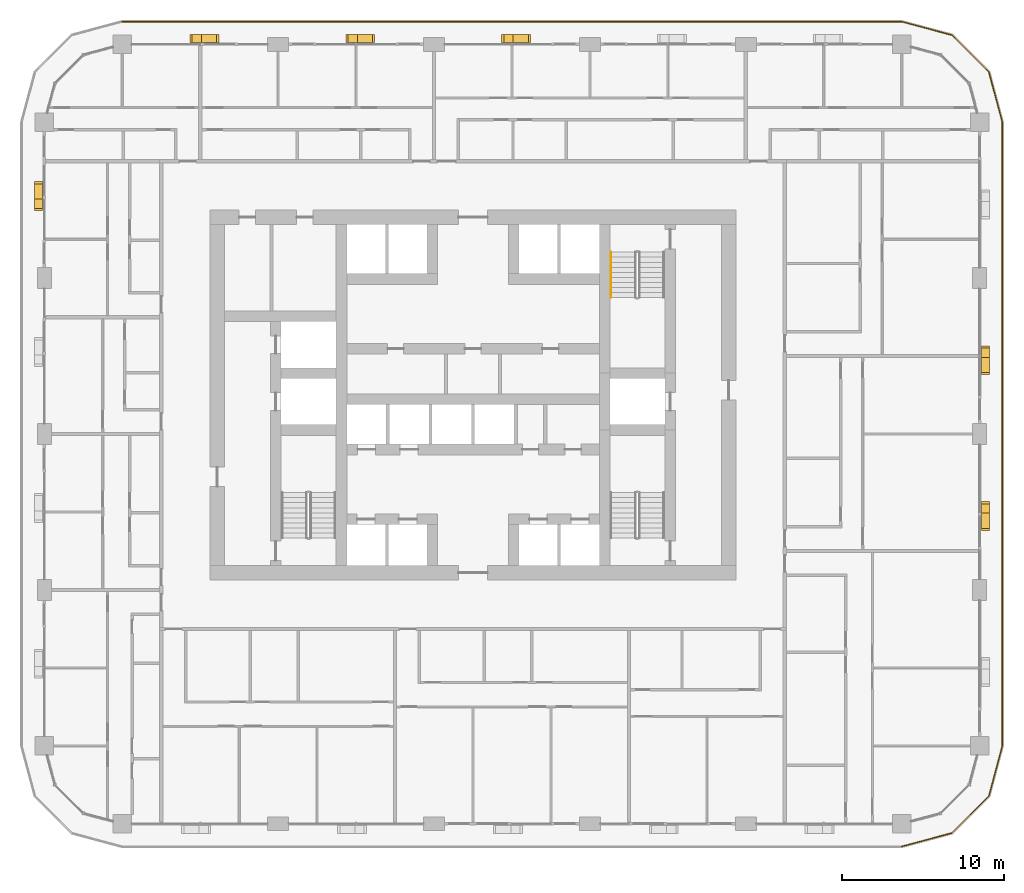
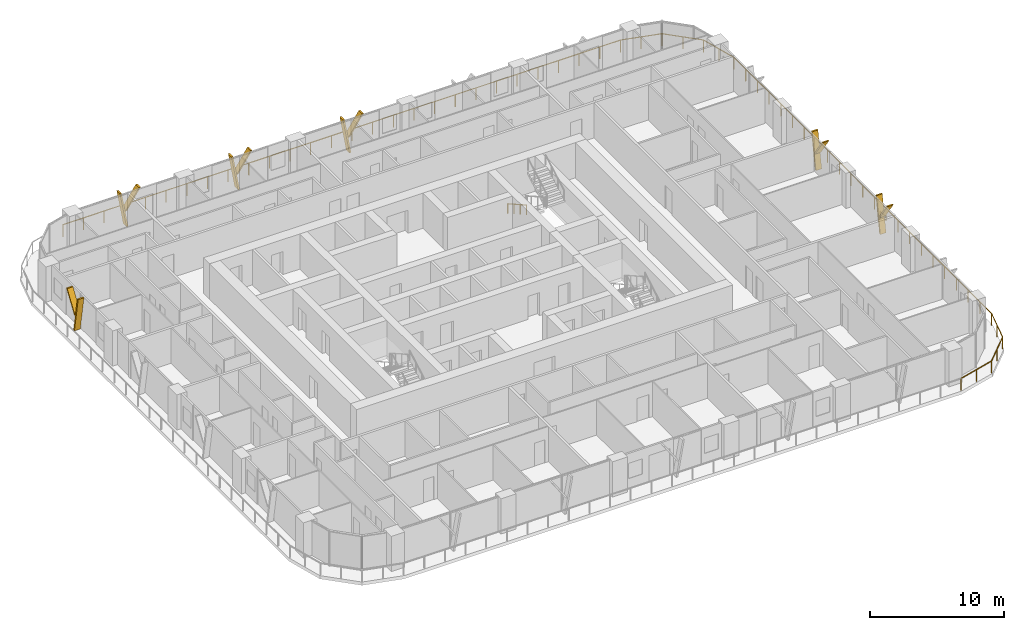
# One storey, part 21 of 22: 12 shading devices, 2 railings.
"""IFC4 building model written with IfcOpenShell, lengths in metres."""

from ifc_helpers import new_model, si_unit, direction, frame, origin, origin_2d, place, context, subcontext, project, spatial, polyline, circle, outline, extrude, material, type_object, element, save


model = new_model("IFC4")

# Units and contexts
model_context = context("Model", 3, precision=1e-05, world=origin(), true_north=direction((0.0, 1.0)))
body_context = subcontext(model_context, "Body", "Model", "MODEL_VIEW")
ifc_project = project(units=[si_unit("LENGTHUNIT", "METRE"), si_unit("AREAUNIT", "SQUARE_METRE"), si_unit("VOLUMEUNIT", "CUBIC_METRE"), si_unit("PLANEANGLEUNIT", "RADIAN"), si_unit("MASSUNIT", "GRAM", prefix="KILO")], contexts=[model_context])

# Site, building, storey
site_placement = place(None, origin())
site = spatial("IfcSite", under=ifc_project, at=site_placement, CompositionType="ELEMENT")
building_placement = place(site_placement, origin())
building = spatial("IfcBuilding", under=site, at=building_placement, Name="Madar Terraces", CompositionType="ELEMENT")
storey_placement = place(building_placement, frame((0.0, 0.0, 66.300048828125)))
storey = spatial("IfcBuildingStorey", under=building, at=storey_placement, Name="L16", CompositionType="ELEMENT", Elevation=66.300048828125)

# Railing
ifc_material_1 = material(Name="Glass, safety glazing, with stainless steel posts", Category="steel")
railing_type_1 = type_object("IfcRailingType", Name="Balcony glass guard 1100", PredefinedType="GUARDRAIL", material=ifc_material_1)
railing_1_placement = place(storey_placement, frame((57.60009765625, -1.39990234375, 0.0)))
element("IfcRailing", 1, at=railing_1_placement, inside=storey, type_object=railing_type_1, Name="Balcony guard", PredefinedType="GUARDRAIL", context=body_context, shape_type="SweptSolid", body=[
    extrude(circle(Radius=0.02392578125, at=origin_2d()), frame((0.0, 0.0, 1.076171875), z_axis=(0.965928696102, 0.258808334578, 0.0), x_axis=(-0.258808334578, 0.965928696102, 0.0)), (0.0, 0.0, 1.0), 3.209228515625),
    extrude(circle(Radius=0.02392578125, at=origin_2d()), frame((3.099853515625, 0.83056640625, 1.076171875), z_axis=(0.707144815061, 0.707068745266, 0.0), x_axis=(-0.707068745266, 0.707144815061, 0.0)), (0.0, 0.0, 1.0), 3.20947265625),
    extrude(circle(Radius=0.02392578125, at=origin_2d()), frame((5.369384765625, 3.099853515625, 1.076171875), z_axis=(0.258789317819, 0.9659337912, 0.0), x_axis=(-0.9659337912, 0.258789317819, 0.0)), (0.0, 0.0, 1.0), 3.20947265625),
    extrude(circle(Radius=0.02392578125, at=origin_2d()), frame((6.199951171875, 6.199951171875, 1.076171875), z_axis=(0.0, 1.0, 0.0), x_axis=(-1.0, 0.0, 0.0)), (0.0, 0.0, 1.0), 38.39990234375),
    extrude(circle(Radius=0.02392578125, at=origin_2d()), frame((6.199951171875, 44.599853515625, 1.076171875), z_axis=(-0.258789317819, 0.9659337912, 0.0), x_axis=(-0.9659337912, -0.258789317819, 0.0)), (0.0, 0.0, 1.0), 3.20947265625),
    extrude(circle(Radius=0.02392578125, at=origin_2d()), frame((5.369384765625, 47.699951171875, 1.076171875), z_axis=(-0.707144815061, 0.707068745266, 0.0), x_axis=(-0.707068745266, -0.707144815061, 0.0)), (0.0, 0.0, 1.0), 3.20947265625),
    extrude(circle(Radius=0.02392578125, at=origin_2d()), frame((3.099853515625, 49.96923828125, 1.076171875), z_axis=(-0.965928696102, 0.258808334578, 0.0), x_axis=(-0.258808334578, -0.965928696102, 0.0)), (0.0, 0.0, 1.0), 3.209228515625),
    extrude(circle(Radius=0.02392578125, at=origin_2d()), frame((0.0, 50.7998046875, 1.076171875), z_axis=(-1.0, 0.0, 0.0), x_axis=(0.0, -1.0, 0.0)), (0.0, 0.0, 1.0), 48.0),
    extrude(circle(Radius=0.02099609375, at=origin_2d()), origin(), (0.0, 0.0, 1.0), 1.052001953125),
    extrude(circle(Radius=0.02099609375, at=origin_2d()), frame((1.5498046875, 0.415283203125, 0.0)), (0.0, 0.0, 1.0), 1.052001953125),
    extrude(circle(Radius=0.02099609375, at=origin_2d()), frame((3.099853515625, 0.83056640625, 0.0)), (0.0, 0.0, 1.0), 1.052001953125),
    extrude(circle(Radius=0.02099609375, at=origin_2d()), frame((4.234619140625, 1.96533203125, 0.0)), (0.0, 0.0, 1.0), 1.052001953125),
    extrude(circle(Radius=0.02099609375, at=origin_2d()), frame((5.369384765625, 3.099853515625, 0.0)), (0.0, 0.0, 1.0), 1.052001953125),
    extrude(circle(Radius=0.02099609375, at=origin_2d()), frame((5.78466796875, 4.64990234375, 0.0)), (0.0, 0.0, 1.0), 1.052001953125),
    extrude(circle(Radius=0.02099609375, at=origin_2d()), frame((6.199951171875, 6.199951171875, 0.0)), (0.0, 0.0, 1.0), 1.052001953125),
    extrude(circle(Radius=0.02099609375, at=origin_2d()), frame((6.199951171875, 7.9453125, 0.0)), (0.0, 0.0, 1.0), 1.052001953125),
    extrude(circle(Radius=0.02099609375, at=origin_2d()), frame((6.199951171875, 9.69091796875, 0.0)), (0.0, 0.0, 1.0), 1.052001953125),
    extrude(circle(Radius=0.02099609375, at=origin_2d()), frame((6.199951171875, 11.436279296875, 0.0)), (0.0, 0.0, 1.0), 1.052001953125),
    extrude(circle(Radius=0.02099609375, at=origin_2d()), frame((6.199951171875, 13.181640625, 0.0)), (0.0, 0.0, 1.0), 1.052001953125),
    extrude(circle(Radius=0.02099609375, at=origin_2d()), frame((6.199951171875, 14.92724609375, 0.0)), (0.0, 0.0, 1.0), 1.052001953125),
    extrude(circle(Radius=0.02099609375, at=origin_2d()), frame((6.199951171875, 16.672607421875, 0.0)), (0.0, 0.0, 1.0), 1.052001953125),
    extrude(circle(Radius=0.02099609375, at=origin_2d()), frame((6.199951171875, 18.418212890625, 0.0)), (0.0, 0.0, 1.0), 1.052001953125),
    extrude(circle(Radius=0.02099609375, at=origin_2d()), frame((6.199951171875, 20.16357421875, 0.0)), (0.0, 0.0, 1.0), 1.052001953125),
    extrude(circle(Radius=0.02099609375, at=origin_2d()), frame((6.199951171875, 21.908935546875, 0.0)), (0.0, 0.0, 1.0), 1.052001953125),
    extrude(circle(Radius=0.02099609375, at=origin_2d()), frame((6.199951171875, 23.654541015625, 0.0)), (0.0, 0.0, 1.0), 1.052001953125),
    extrude(circle(Radius=0.02099609375, at=origin_2d()), frame((6.199951171875, 25.39990234375, 0.0)), (0.0, 0.0, 1.0), 1.052001953125),
    extrude(circle(Radius=0.02099609375, at=origin_2d()), frame((6.199951171875, 27.145263671875, 0.0)), (0.0, 0.0, 1.0), 1.052001953125),
    extrude(circle(Radius=0.02099609375, at=origin_2d()), frame((6.199951171875, 28.890869140625, 0.0)), (0.0, 0.0, 1.0), 1.052001953125),
    extrude(circle(Radius=0.02099609375, at=origin_2d()), frame((6.199951171875, 30.63623046875, 0.0)), (0.0, 0.0, 1.0), 1.052001953125),
    extrude(circle(Radius=0.02099609375, at=origin_2d()), frame((6.199951171875, 32.381591796875, 0.0)), (0.0, 0.0, 1.0), 1.052001953125),
    extrude(circle(Radius=0.02099609375, at=origin_2d()), frame((6.199951171875, 34.127197265625, 0.0)), (0.0, 0.0, 1.0), 1.052001953125),
    extrude(circle(Radius=0.02099609375, at=origin_2d()), frame((6.199951171875, 35.87255859375, 0.0)), (0.0, 0.0, 1.0), 1.052001953125),
    extrude(circle(Radius=0.02099609375, at=origin_2d()), frame((6.199951171875, 37.6181640625, 0.0)), (0.0, 0.0, 1.0), 1.052001953125),
    extrude(circle(Radius=0.02099609375, at=origin_2d()), frame((6.199951171875, 39.363525390625, 0.0)), (0.0, 0.0, 1.0), 1.052001953125),
    extrude(circle(Radius=0.02099609375, at=origin_2d()), frame((6.199951171875, 41.10888671875, 0.0)), (0.0, 0.0, 1.0), 1.052001953125),
    extrude(circle(Radius=0.02099609375, at=origin_2d()), frame((6.199951171875, 42.8544921875, 0.0)), (0.0, 0.0, 1.0), 1.052001953125),
    extrude(circle(Radius=0.02099609375, at=origin_2d()), frame((6.199951171875, 44.599853515625, 0.0)), (0.0, 0.0, 1.0), 1.052001953125),
    extrude(circle(Radius=0.02099609375, at=origin_2d()), frame((5.78466796875, 46.14990234375, 0.0)), (0.0, 0.0, 1.0), 1.052001953125),
    extrude(circle(Radius=0.02099609375, at=origin_2d()), frame((5.369384765625, 47.699951171875, 0.0)), (0.0, 0.0, 1.0), 1.052001953125),
    extrude(circle(Radius=0.02099609375, at=origin_2d()), frame((4.234619140625, 48.83447265625, 0.0)), (0.0, 0.0, 1.0), 1.052001953125),
    extrude(circle(Radius=0.02099609375, at=origin_2d()), frame((3.099853515625, 49.96923828125, 0.0)), (0.0, 0.0, 1.0), 1.052001953125),
    extrude(circle(Radius=0.02099609375, at=origin_2d()), frame((1.5498046875, 50.384521484375, 0.0)), (0.0, 0.0, 1.0), 1.052001953125),
    extrude(circle(Radius=0.02099609375, at=origin_2d()), frame((0.0, 50.7998046875, 0.0)), (0.0, 0.0, 1.0), 1.052001953125),
    extrude(circle(Radius=0.02099609375, at=origin_2d()), frame((-1.77783203125, 50.7998046875, 0.0)), (0.0, 0.0, 1.0), 1.052001953125),
    extrude(circle(Radius=0.02099609375, at=origin_2d()), frame((-3.5556640625, 50.7998046875, 0.0)), (0.0, 0.0, 1.0), 1.052001953125),
    extrude(circle(Radius=0.02099609375, at=origin_2d()), frame((-5.333251953125, 50.7998046875, 0.0)), (0.0, 0.0, 1.0), 1.052001953125),
    extrude(circle(Radius=0.02099609375, at=origin_2d()), frame((-7.111083984375, 50.7998046875, 0.0)), (0.0, 0.0, 1.0), 1.052001953125),
    extrude(circle(Radius=0.02099609375, at=origin_2d()), frame((-8.888916015625, 50.7998046875, 0.0)), (0.0, 0.0, 1.0), 1.052001953125),
    extrude(circle(Radius=0.02099609375, at=origin_2d()), frame((-10.666748046875, 50.7998046875, 0.0)), (0.0, 0.0, 1.0), 1.052001953125),
    extrude(circle(Radius=0.02099609375, at=origin_2d()), frame((-12.4443359375, 50.7998046875, 0.0)), (0.0, 0.0, 1.0), 1.052001953125),
    extrude(circle(Radius=0.02099609375, at=origin_2d()), frame((-14.22216796875, 50.7998046875, 0.0)), (0.0, 0.0, 1.0), 1.052001953125),
    extrude(circle(Radius=0.02099609375, at=origin_2d()), frame((-16.0, 50.7998046875, 0.0)), (0.0, 0.0, 1.0), 1.052001953125),
    extrude(circle(Radius=0.02099609375, at=origin_2d()), frame((-17.77783203125, 50.7998046875, 0.0)), (0.0, 0.0, 1.0), 1.052001953125),
    extrude(circle(Radius=0.02099609375, at=origin_2d()), frame((-19.5556640625, 50.7998046875, 0.0)), (0.0, 0.0, 1.0), 1.052001953125),
    extrude(circle(Radius=0.02099609375, at=origin_2d()), frame((-21.333251953125, 50.7998046875, 0.0)), (0.0, 0.0, 1.0), 1.052001953125),
    extrude(circle(Radius=0.02099609375, at=origin_2d()), frame((-23.111083984375, 50.7998046875, 0.0)), (0.0, 0.0, 1.0), 1.052001953125),
    extrude(circle(Radius=0.02099609375, at=origin_2d()), frame((-24.888916015625, 50.7998046875, 0.0)), (0.0, 0.0, 1.0), 1.052001953125),
    extrude(circle(Radius=0.02099609375, at=origin_2d()), frame((-26.666748046875, 50.7998046875, 0.0)), (0.0, 0.0, 1.0), 1.052001953125),
    extrude(circle(Radius=0.02099609375, at=origin_2d()), frame((-28.4443359375, 50.7998046875, 0.0)), (0.0, 0.0, 1.0), 1.052001953125),
    extrude(circle(Radius=0.02099609375, at=origin_2d()), frame((-30.22216796875, 50.7998046875, 0.0)), (0.0, 0.0, 1.0), 1.052001953125),
    extrude(circle(Radius=0.02099609375, at=origin_2d()), frame((-32.0, 50.7998046875, 0.0)), (0.0, 0.0, 1.0), 1.052001953125),
    extrude(circle(Radius=0.02099609375, at=origin_2d()), frame((-33.77783203125, 50.7998046875, 0.0)), (0.0, 0.0, 1.0), 1.052001953125),
    extrude(circle(Radius=0.02099609375, at=origin_2d()), frame((-35.5556640625, 50.7998046875, 0.0)), (0.0, 0.0, 1.0), 1.052001953125),
    extrude(circle(Radius=0.02099609375, at=origin_2d()), frame((-37.333251953125, 50.7998046875, 0.0)), (0.0, 0.0, 1.0), 1.052001953125),
    extrude(circle(Radius=0.02099609375, at=origin_2d()), frame((-39.111083984375, 50.7998046875, 0.0)), (0.0, 0.0, 1.0), 1.052001953125),
    extrude(circle(Radius=0.02099609375, at=origin_2d()), frame((-40.888916015625, 50.7998046875, 0.0)), (0.0, 0.0, 1.0), 1.052001953125),
    extrude(circle(Radius=0.02099609375, at=origin_2d()), frame((-42.666748046875, 50.7998046875, 0.0)), (0.0, 0.0, 1.0), 1.052001953125),
    extrude(circle(Radius=0.02099609375, at=origin_2d()), frame((-44.4443359375, 50.7998046875, 0.0)), (0.0, 0.0, 1.0), 1.052001953125),
    extrude(circle(Radius=0.02099609375, at=origin_2d()), frame((-46.22216796875, 50.7998046875, 0.0)), (0.0, 0.0, 1.0), 1.052001953125),
    extrude(circle(Radius=0.02099609375, at=origin_2d()), frame((-48.0, 50.7998046875, 0.0)), (0.0, 0.0, 1.0), 1.052001953125),
])

# Shading devices
ifc_material_2 = material(Name="Aluminium, black anodised", Category="aluminium")
shading_device_type = type_object("IfcShadingDeviceType", Name="Facade fin blade 140 x 500", PredefinedType="USERDEFINED", material=ifc_material_2)
shading_device_1_placement = place(storey_placement, frame((62.75, 19.1298828125, 0.0), z_axis=(0.0, 0.0, 1.0), x_axis=(0.0, 1.0, 0.0)))
element("IfcShadingDevice", 2, at=shading_device_1_placement, inside=storey, type_object=shading_device_type, Name="FIN L16 E2", ObjectType="FIN", PredefinedType="USERDEFINED", context=body_context, shape_type="SweptSolid", body=[
    extrude(outline(polyline([(0.0, 0.0), (0.14013671875, 0.0), (0.704345703125, 3.199951171875), (0.564208984375, 3.199951171875), (0.0, 0.0)])), frame((0.0, 0.25, 0.0), z_axis=(0.0, -1.0, 0.0), x_axis=(1.0, 0.0, 0.0)), (0.0, 0.0, 1.0), 0.5),
])
shading_device_2_placement = place(storey_placement, frame((62.75, 19.243896484375, 1.43994140625), z_axis=(0.0, 0.0, 1.0), x_axis=(0.0, 1.0, 0.0)))
element("IfcShadingDevice", 3, at=shading_device_2_placement, inside=storey, type_object=shading_device_type, Name="FIN L16 E2 branch", ObjectType="FIN", PredefinedType="USERDEFINED", context=body_context, shape_type="SweptSolid", body=[
    extrude(outline(polyline([(0.0, 0.0), (0.139892578125, 0.0), (-1.049560546875, 1.760009765625), (-1.189697265625, 1.760009765625), (0.0, 0.0)])), frame((0.0, 0.25, 0.0), z_axis=(0.0, -1.0, 0.0), x_axis=(1.0, 0.0, 0.0)), (0.0, 0.0, 1.0), 0.5),
])
shading_device_3_placement = place(storey_placement, frame((62.75, 28.72998046875, 0.0), z_axis=(0.0, 0.0, 1.0), x_axis=(0.0, 1.0, 0.0)))
element("IfcShadingDevice", 4, at=shading_device_3_placement, inside=storey, type_object=shading_device_type, Name="FIN L16 E3", ObjectType="FIN", PredefinedType="USERDEFINED", context=body_context, shape_type="SweptSolid", body=[
    extrude(outline(polyline([(0.0, 0.0), (0.14013671875, 0.0), (0.704345703125, 3.199951171875), (0.564208984375, 3.199951171875), (0.0, 0.0)])), frame((0.0, 0.25, 0.0), z_axis=(0.0, -1.0, 0.0), x_axis=(1.0, 0.0, 0.0)), (0.0, 0.0, 1.0), 0.5),
])
shading_device_4_placement = place(storey_placement, frame((62.75, 28.843994140625, 1.43994140625), z_axis=(0.0, 0.0, 1.0), x_axis=(0.0, 1.0, 0.0)))
element("IfcShadingDevice", 5, at=shading_device_4_placement, inside=storey, type_object=shading_device_type, Name="FIN L16 E3 branch", ObjectType="FIN", PredefinedType="USERDEFINED", context=body_context, shape_type="SweptSolid", body=[
    extrude(outline(polyline([(0.0, 0.0), (0.139892578125, 0.0), (-1.049560546875, 1.760009765625), (-1.189697265625, 1.760009765625), (0.0, 0.0)])), frame((0.0, 0.25, 0.0), z_axis=(0.0, -1.0, 0.0), x_axis=(1.0, 0.0, 0.0)), (0.0, 0.0, 1.0), 0.5),
])
shading_device_5_placement = place(storey_placement, frame((33.669921875, 48.35009765625, 0.0), z_axis=(0.0, 0.0, 1.0), x_axis=(-1.0, 0.0, 0.0)))
element("IfcShadingDevice", 6, at=shading_device_5_placement, inside=storey, type_object=shading_device_type, Name="FIN L16 N3", ObjectType="FIN", PredefinedType="USERDEFINED", context=body_context, shape_type="SweptSolid", body=[
    extrude(outline(polyline([(0.0, 0.0), (0.139892578125, 0.0), (0.704345703125, 3.199951171875), (0.564208984375, 3.199951171875), (0.0, 0.0)])), frame((0.0, 0.25, 0.0), z_axis=(0.0, -1.0, 0.0), x_axis=(1.0, 0.0, 0.0)), (0.0, 0.0, 1.0), 0.5),
])
shading_device_6_placement = place(storey_placement, frame((33.55615234375, 48.35009765625, 1.43994140625), z_axis=(0.0, 0.0, 1.0), x_axis=(-1.0, 0.0, 0.0)))
element("IfcShadingDevice", 7, at=shading_device_6_placement, inside=storey, type_object=shading_device_type, Name="FIN L16 N3 branch", ObjectType="FIN", PredefinedType="USERDEFINED", context=body_context, shape_type="SweptSolid", body=[
    extrude(outline(polyline([(0.0, 0.0), (0.14013671875, 0.0), (-1.049560546875, 1.760009765625), (-1.189697265625, 1.760009765625), (0.0, 0.0)])), frame((0.0, 0.25, 0.0), z_axis=(0.0, -1.0, 0.0), x_axis=(1.0, 0.0, 0.0)), (0.0, 0.0, 1.0), 0.5),
])
shading_device_7_placement = place(storey_placement, frame((24.070068359375, 48.35009765625, 0.0), z_axis=(0.0, 0.0, 1.0), x_axis=(-1.0, 0.0, 0.0)))
element("IfcShadingDevice", 8, at=shading_device_7_placement, inside=storey, type_object=shading_device_type, Name="FIN L16 N4", ObjectType="FIN", PredefinedType="USERDEFINED", context=body_context, shape_type="SweptSolid", body=[
    extrude(outline(polyline([(0.0, 0.0), (0.14013671875, 0.0), (0.704345703125, 3.199951171875), (0.564208984375, 3.199951171875), (0.0, 0.0)])), frame((0.0, 0.25, 0.0), z_axis=(0.0, -1.0, 0.0), x_axis=(1.0, 0.0, 0.0)), (0.0, 0.0, 1.0), 0.5),
])
shading_device_8_placement = place(storey_placement, frame((23.9560546875, 48.35009765625, 1.43994140625), z_axis=(0.0, 0.0, 1.0), x_axis=(-1.0, 0.0, 0.0)))
element("IfcShadingDevice", 9, at=shading_device_8_placement, inside=storey, type_object=shading_device_type, Name="FIN L16 N4 branch", ObjectType="FIN", PredefinedType="USERDEFINED", context=body_context, shape_type="SweptSolid", body=[
    extrude(outline(polyline([(0.0, 0.0), (0.139892578125, 0.0), (-1.049560546875, 1.760009765625), (-1.189697265625, 1.760009765625), (0.0, 0.0)])), frame((0.0, 0.25, 0.0), z_axis=(0.0, -1.0, 0.0), x_axis=(1.0, 0.0, 0.0)), (0.0, 0.0, 1.0), 0.5),
])
shading_device_9_placement = place(storey_placement, frame((14.469970703125, 48.35009765625, 0.0), z_axis=(0.0, 0.0, 1.0), x_axis=(-1.0, 0.0, 0.0)))
element("IfcShadingDevice", 10, at=shading_device_9_placement, inside=storey, type_object=shading_device_type, Name="FIN L16 N5", ObjectType="FIN", PredefinedType="USERDEFINED", context=body_context, shape_type="SweptSolid", body=[
    extrude(outline(polyline([(0.0, 0.0), (0.139892578125, 0.0), (0.704345703125, 3.199951171875), (0.564208984375, 3.199951171875), (0.0, 0.0)])), frame((0.0, 0.25, 0.0), z_axis=(0.0, -1.0, 0.0), x_axis=(1.0, 0.0, 0.0)), (0.0, 0.0, 1.0), 0.5),
])
shading_device_10_placement = place(storey_placement, frame((14.356201171875, 48.35009765625, 1.43994140625), z_axis=(0.0, 0.0, 1.0), x_axis=(-1.0, 0.0, 0.0)))
element("IfcShadingDevice", 11, at=shading_device_10_placement, inside=storey, type_object=shading_device_type, Name="FIN L16 N5 branch", ObjectType="FIN", PredefinedType="USERDEFINED", context=body_context, shape_type="SweptSolid", body=[
    extrude(outline(polyline([(0.0, 0.0), (0.14013671875, 0.0), (-1.049560546875, 1.760009765625), (-1.189697265625, 1.760009765625), (0.0, 0.0)])), frame((0.0, 0.25, 0.0), z_axis=(0.0, -1.0, 0.0), x_axis=(1.0, 0.0, 0.0)), (0.0, 0.0, 1.0), 0.5),
])
shading_device_11_placement = place(storey_placement, frame((4.449951171875, 38.469970703125, 0.0), z_axis=(0.0, 0.0, 1.0), x_axis=(0.0, -1.0, 0.0)))
element("IfcShadingDevice", 12, at=shading_device_11_placement, inside=storey, type_object=shading_device_type, Name="FIN L16 W1", ObjectType="FIN", PredefinedType="USERDEFINED", context=body_context, shape_type="SweptSolid", body=[
    extrude(outline(polyline([(0.0, 0.0), (0.139892578125, 0.0), (0.704345703125, 3.199951171875), (0.564208984375, 3.199951171875), (0.0, 0.0)])), frame((0.0, 0.25, 0.0), z_axis=(0.0, -1.0, 0.0), x_axis=(1.0, 0.0, 0.0)), (0.0, 0.0, 1.0), 0.5),
])
shading_device_12_placement = place(storey_placement, frame((4.449951171875, 38.356201171875, 1.43994140625), z_axis=(0.0, 0.0, 1.0), x_axis=(0.0, -1.0, 0.0)))
element("IfcShadingDevice", 13, at=shading_device_12_placement, inside=storey, type_object=shading_device_type, Name="FIN L16 W1 branch", ObjectType="FIN", PredefinedType="USERDEFINED", context=body_context, shape_type="SweptSolid", body=[
    extrude(outline(polyline([(0.0, 0.0), (0.14013671875, 0.0), (-1.049560546875, 1.760009765625), (-1.189697265625, 1.760009765625), (0.0, 0.0)])), frame((0.0, 0.25, 0.0), z_axis=(0.0, -1.0, 0.0), x_axis=(1.0, 0.0, 0.0)), (0.0, 0.0, 1.0), 0.5),
])

# Railing
ifc_material_3 = material(Name="Stainless steel railing", Category="steel")
railing_type_2 = type_object("IfcRailingType", Name="Stair handrail 900", PredefinedType="HANDRAIL", material=ifc_material_3)
railing_2_placement = place(storey_placement, frame((39.699951171875, 35.199951171875, 0.175048828125)))
element("IfcRailing", 14, at=railing_2_placement, inside=storey, type_object=railing_type_2, Name="L16 ST2 stair handrail 1", PredefinedType="HANDRAIL", context=body_context, shape_type="SweptSolid", body=[
    extrude(circle(Radius=0.02392578125, at=origin_2d()), frame((0.0, 0.0, 0.8759765625), z_axis=(0.0, -0.870833779661, 0.491577591232), x_axis=(1.0, 0.0, 0.0)), (0.0, 0.0, 1.0), 3.203857421875),
    extrude(circle(Radius=0.02099609375, at=origin_2d()), origin(), (0.0, 0.0, 1.0), 0.851806640625),
    extrude(circle(Radius=0.02099609375, at=origin_2d()), frame((0.0, -0.929931640625, 0.52490234375)), (0.0, 0.0, 1.0), 0.851806640625),
    extrude(circle(Radius=0.02099609375, at=origin_2d()), frame((0.0, -1.860107421875, 1.050048828125)), (0.0, 0.0, 1.0), 0.851806640625),
    extrude(circle(Radius=0.02099609375, at=origin_2d()), frame((0.0, -2.7900390625, 1.574951171875)), (0.0, 0.0, 1.0), 0.851806640625),
])

save(model, "model.ifc")
